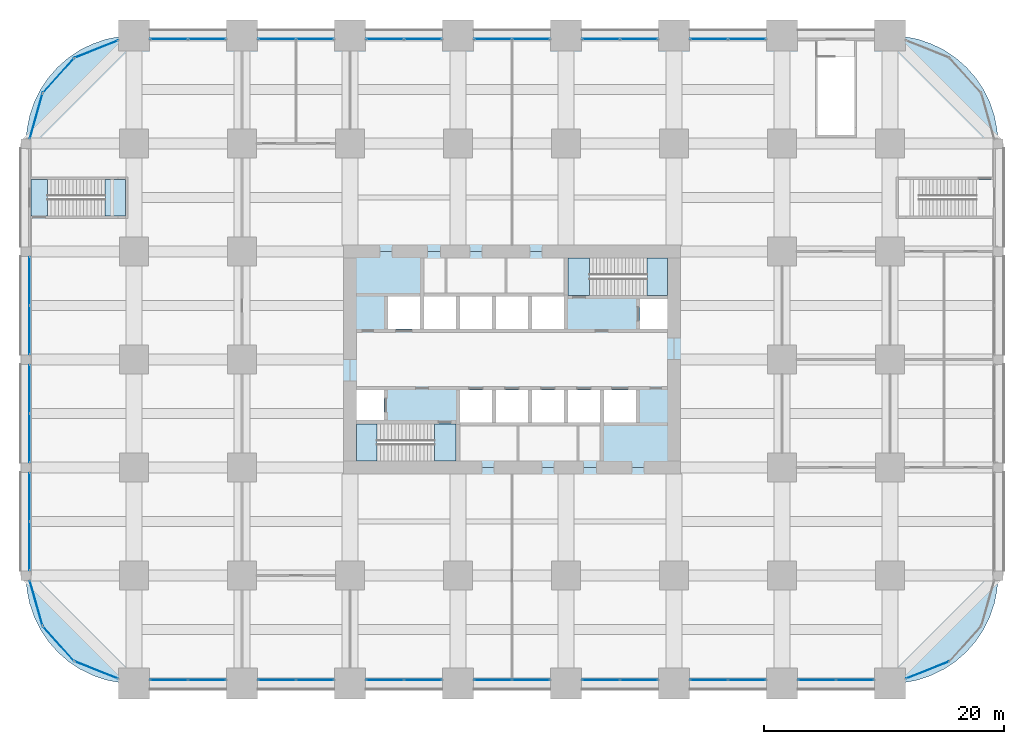
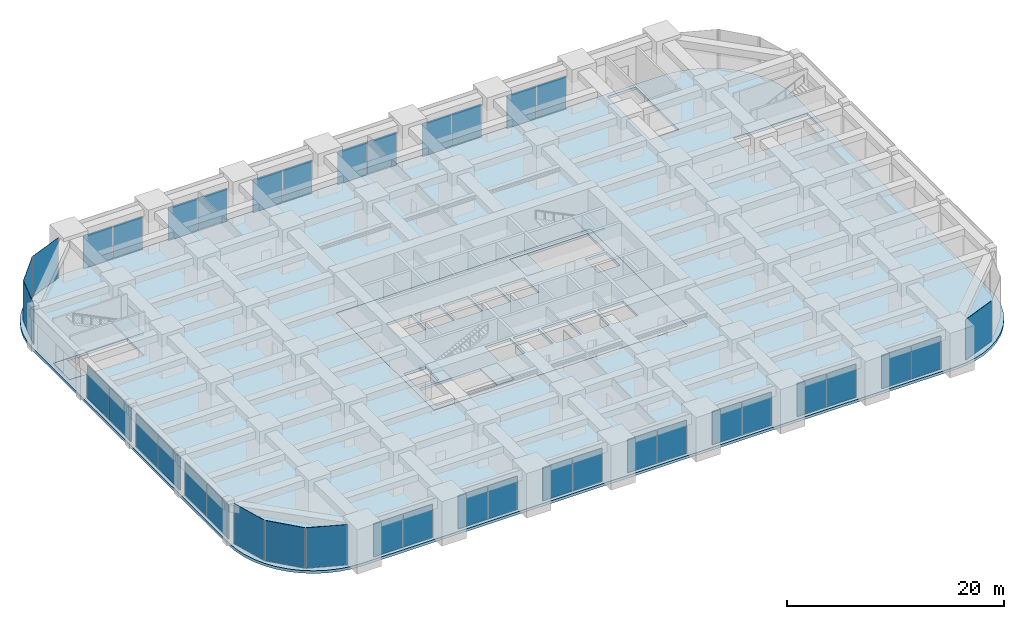
# One storey, part 40 of 46: 39 plates, 8 slabs, 26 elements without a shape of their own.
"""IFC4 building model written with IfcOpenShell, lengths in metres."""

from ifc_helpers import new_model, si_unit, direction, frame, origin, origin_2d, place, context, subcontext, project, spatial, polyline, rectangle, outline, extrude, material, layer, layer_set, type_object, element, aggregate, save


model = new_model("IFC4")

# Units and contexts
model_context = context("Model", 3, precision=1e-05, world=origin(), true_north=direction((0.0, 1.0)))
body_context = subcontext(model_context, "Body", "Model", "MODEL_VIEW")
ifc_project = project(units=[si_unit("LENGTHUNIT", "METRE"), si_unit("AREAUNIT", "SQUARE_METRE"), si_unit("VOLUMEUNIT", "CUBIC_METRE"), si_unit("PLANEANGLEUNIT", "RADIAN"), si_unit("MASSUNIT", "GRAM", prefix="KILO")], contexts=[model_context])

# Site, building, storey
site_placement = place(None, origin())
site = spatial("IfcSite", under=ifc_project, at=site_placement, CompositionType="ELEMENT")
building_placement = place(site_placement, origin())
building = spatial("IfcBuilding", under=site, at=building_placement, Name="Zorevar Civic Tower", CompositionType="ELEMENT")
storey_placement = place(building_placement, frame((0.0, 0.0, 10.800048828125)))
storey = spatial("IfcBuildingStorey", under=building, at=storey_placement, Name="L02", CompositionType="ELEMENT", Elevation=10.800048828125)

# Curtain wall, plates
ifc_material_1 = material(Name="Dark grey solar-control glass in black aluminium frame", Category="aluminium")
curtain_wall_type = type_object("IfcCurtainWallType", Name="Curtain wall CW1 podium", PredefinedType="NOTDEFINED", material=ifc_material_1)
curtain_wall_1_placement = place(storey_placement, origin())
curtain_wall_1 = element("IfcCurtainWall", 1, at=curtain_wall_1_placement, inside=storey, type_object=curtain_wall_type, Name="CW1 L02", PredefinedType="NOTDEFINED")
ifc_material_2 = material(Name="Dark grey solar-control glass", Category="glass")
ifc_layer_1 = layer(ifc_material_2, 0.033935546875)
ifc_layer_set_1 = layer_set([ifc_layer_1], Name="CW1 panel 34")
plate_type = type_object("IfcPlateType", Name="CW1 panel 34", PredefinedType="CURTAIN_PANEL", material=ifc_layer_set_1)
plate_1_placement = place(storey_placement, frame((2.9150390625, 0.300048828125, 0.06005859375), z_axis=(0.0, 0.0, 1.0), x_axis=(1.0, 0.0, 0.0)))
plate_1 = element("IfcPlate", 2, at=plate_1_placement, type_object=plate_type, Name="CW1 panel 1.1", PredefinedType="CURTAIN_PANEL", context=body_context, shape_type="SweptSolid", body=[
    extrude(rectangle(XDim=3.110107421875, YDim=0.033935546875, at=origin_2d()), origin(), (0.0, 0.0, 1.0), 3.739990234375),
])
plate_2_placement = place(storey_placement, frame((6.0849609375, 0.300048828125, 0.06005859375), z_axis=(0.0, 0.0, 1.0), x_axis=(1.0, 0.0, 0.0)))
plate_2 = element("IfcPlate", 3, at=plate_2_placement, type_object=plate_type, Name="CW1 panel 2.1", PredefinedType="CURTAIN_PANEL", context=body_context, shape_type="SweptSolid", body=[
    extrude(rectangle(XDim=3.110107421875, YDim=0.033935546875, at=origin_2d()), origin(), (0.0, 0.0, 1.0), 3.739990234375),
])
aggregate(curtain_wall_1, [plate_1, plate_2])

curtain_wall_2_placement = place(storey_placement, origin())
curtain_wall_2 = element("IfcCurtainWall", 4, at=curtain_wall_2_placement, inside=storey, type_object=curtain_wall_type, Name="CW1 L02", PredefinedType="NOTDEFINED")
plate_3_placement = place(storey_placement, frame((2.9150390625, 53.699951171875, 0.06005859375), z_axis=(0.0, 0.0, 1.0), x_axis=(1.0, 0.0, 0.0)))
plate_3 = element("IfcPlate", 5, at=plate_3_placement, type_object=plate_type, Name="CW1 panel 1.1", PredefinedType="CURTAIN_PANEL", context=body_context, shape_type="SweptSolid", body=[
    extrude(rectangle(XDim=3.110107421875, YDim=0.033935546875, at=origin_2d()), origin(), (0.0, 0.0, 1.0), 3.739990234375),
])
plate_4_placement = place(storey_placement, frame((6.0849609375, 53.699951171875, 0.06005859375), z_axis=(0.0, 0.0, 1.0), x_axis=(1.0, 0.0, 0.0)))
plate_4 = element("IfcPlate", 6, at=plate_4_placement, type_object=plate_type, Name="CW1 panel 2.1", PredefinedType="CURTAIN_PANEL", context=body_context, shape_type="SweptSolid", body=[
    extrude(rectangle(XDim=3.110107421875, YDim=0.033935546875, at=origin_2d()), origin(), (0.0, 0.0, 1.0), 3.739990234375),
])
aggregate(curtain_wall_2, [plate_3, plate_4])

curtain_wall_3_placement = place(storey_placement, origin())
curtain_wall_3 = element("IfcCurtainWall", 7, at=curtain_wall_3_placement, inside=storey, type_object=curtain_wall_type, Name="CW1 L02", PredefinedType="NOTDEFINED")
plate_5_placement = place(storey_placement, frame((11.9150390625, 0.300048828125, 0.06005859375), z_axis=(0.0, 0.0, 1.0), x_axis=(1.0, 0.0, 0.0)))
plate_5 = element("IfcPlate", 8, at=plate_5_placement, type_object=plate_type, Name="CW1 panel 1.1", PredefinedType="CURTAIN_PANEL", context=body_context, shape_type="SweptSolid", body=[
    extrude(rectangle(XDim=3.110107421875, YDim=0.033935546875, at=origin_2d()), origin(), (0.0, 0.0, 1.0), 3.739990234375),
])
plate_6_placement = place(storey_placement, frame((15.0849609375, 0.300048828125, 0.06005859375), z_axis=(0.0, 0.0, 1.0), x_axis=(1.0, 0.0, 0.0)))
plate_6 = element("IfcPlate", 9, at=plate_6_placement, type_object=plate_type, Name="CW1 panel 2.1", PredefinedType="CURTAIN_PANEL", context=body_context, shape_type="SweptSolid", body=[
    extrude(rectangle(XDim=3.110107421875, YDim=0.033935546875, at=origin_2d()), origin(), (0.0, 0.0, 1.0), 3.739990234375),
])
aggregate(curtain_wall_3, [plate_5, plate_6])

curtain_wall_4_placement = place(storey_placement, origin())
curtain_wall_4 = element("IfcCurtainWall", 10, at=curtain_wall_4_placement, inside=storey, type_object=curtain_wall_type, Name="CW1 L02", PredefinedType="NOTDEFINED")
plate_7_placement = place(storey_placement, frame((11.9150390625, 53.699951171875, 0.06005859375), z_axis=(0.0, 0.0, 1.0), x_axis=(1.0, 0.0, 0.0)))
plate_7 = element("IfcPlate", 11, at=plate_7_placement, type_object=plate_type, Name="CW1 panel 1.1", PredefinedType="CURTAIN_PANEL", context=body_context, shape_type="SweptSolid", body=[
    extrude(rectangle(XDim=3.110107421875, YDim=0.033935546875, at=origin_2d()), origin(), (0.0, 0.0, 1.0), 3.739990234375),
])
plate_8_placement = place(storey_placement, frame((15.0849609375, 53.699951171875, 0.06005859375), z_axis=(0.0, 0.0, 1.0), x_axis=(1.0, 0.0, 0.0)))
plate_8 = element("IfcPlate", 12, at=plate_8_placement, type_object=plate_type, Name="CW1 panel 2.1", PredefinedType="CURTAIN_PANEL", context=body_context, shape_type="SweptSolid", body=[
    extrude(rectangle(XDim=3.110107421875, YDim=0.033935546875, at=origin_2d()), origin(), (0.0, 0.0, 1.0), 3.739990234375),
])
aggregate(curtain_wall_4, [plate_7, plate_8])

curtain_wall_5_placement = place(storey_placement, origin())
curtain_wall_5 = element("IfcCurtainWall", 13, at=curtain_wall_5_placement, inside=storey, type_object=curtain_wall_type, Name="CW1 L02", PredefinedType="NOTDEFINED")
plate_9_placement = place(storey_placement, frame((20.9150390625, 0.300048828125, 0.06005859375), z_axis=(0.0, 0.0, 1.0), x_axis=(1.0, 0.0, 0.0)))
plate_9 = element("IfcPlate", 14, at=plate_9_placement, type_object=plate_type, Name="CW1 panel 1.1", PredefinedType="CURTAIN_PANEL", context=body_context, shape_type="SweptSolid", body=[
    extrude(rectangle(XDim=3.110107421875, YDim=0.033935546875, at=origin_2d()), origin(), (0.0, 0.0, 1.0), 3.739990234375),
])
plate_10_placement = place(storey_placement, frame((24.0849609375, 0.300048828125, 0.06005859375), z_axis=(0.0, 0.0, 1.0), x_axis=(1.0, 0.0, 0.0)))
plate_10 = element("IfcPlate", 15, at=plate_10_placement, type_object=plate_type, Name="CW1 panel 2.1", PredefinedType="CURTAIN_PANEL", context=body_context, shape_type="SweptSolid", body=[
    extrude(rectangle(XDim=3.110107421875, YDim=0.033935546875, at=origin_2d()), origin(), (0.0, 0.0, 1.0), 3.739990234375),
])
aggregate(curtain_wall_5, [plate_9, plate_10])

curtain_wall_6_placement = place(storey_placement, origin())
curtain_wall_6 = element("IfcCurtainWall", 16, at=curtain_wall_6_placement, inside=storey, type_object=curtain_wall_type, Name="CW1 L02", PredefinedType="NOTDEFINED")
plate_11_placement = place(storey_placement, frame((20.9150390625, 53.699951171875, 0.06005859375), z_axis=(0.0, 0.0, 1.0), x_axis=(1.0, 0.0, 0.0)))
plate_11 = element("IfcPlate", 17, at=plate_11_placement, type_object=plate_type, Name="CW1 panel 1.1", PredefinedType="CURTAIN_PANEL", context=body_context, shape_type="SweptSolid", body=[
    extrude(rectangle(XDim=3.110107421875, YDim=0.033935546875, at=origin_2d()), origin(), (0.0, 0.0, 1.0), 3.739990234375),
])
plate_12_placement = place(storey_placement, frame((24.0849609375, 53.699951171875, 0.06005859375), z_axis=(0.0, 0.0, 1.0), x_axis=(1.0, 0.0, 0.0)))
plate_12 = element("IfcPlate", 18, at=plate_12_placement, type_object=plate_type, Name="CW1 panel 2.1", PredefinedType="CURTAIN_PANEL", context=body_context, shape_type="SweptSolid", body=[
    extrude(rectangle(XDim=3.110107421875, YDim=0.033935546875, at=origin_2d()), origin(), (0.0, 0.0, 1.0), 3.739990234375),
])
aggregate(curtain_wall_6, [plate_11, plate_12])

curtain_wall_7_placement = place(storey_placement, origin())
curtain_wall_7 = element("IfcCurtainWall", 19, at=curtain_wall_7_placement, inside=storey, type_object=curtain_wall_type, Name="CW1 L02", PredefinedType="NOTDEFINED")
plate_13_placement = place(storey_placement, frame((29.9150390625, 0.300048828125, 0.06005859375), z_axis=(0.0, 0.0, 1.0), x_axis=(1.0, 0.0, 0.0)))
plate_13 = element("IfcPlate", 20, at=plate_13_placement, type_object=plate_type, Name="CW1 panel 1.1", PredefinedType="CURTAIN_PANEL", context=body_context, shape_type="SweptSolid", body=[
    extrude(rectangle(XDim=3.110107421875, YDim=0.033935546875, at=origin_2d()), origin(), (0.0, 0.0, 1.0), 3.739990234375),
])
plate_14_placement = place(storey_placement, frame((33.0849609375, 0.300048828125, 0.06005859375), z_axis=(0.0, 0.0, 1.0), x_axis=(1.0, 0.0, 0.0)))
plate_14 = element("IfcPlate", 21, at=plate_14_placement, type_object=plate_type, Name="CW1 panel 2.1", PredefinedType="CURTAIN_PANEL", context=body_context, shape_type="SweptSolid", body=[
    extrude(rectangle(XDim=3.110107421875, YDim=0.033935546875, at=origin_2d()), origin(), (0.0, 0.0, 1.0), 3.739990234375),
])
aggregate(curtain_wall_7, [plate_13, plate_14])

curtain_wall_8_placement = place(storey_placement, origin())
curtain_wall_8 = element("IfcCurtainWall", 22, at=curtain_wall_8_placement, inside=storey, type_object=curtain_wall_type, Name="CW1 L02", PredefinedType="NOTDEFINED")
plate_15_placement = place(storey_placement, frame((29.9150390625, 53.699951171875, 0.06005859375), z_axis=(0.0, 0.0, 1.0), x_axis=(1.0, 0.0, 0.0)))
plate_15 = element("IfcPlate", 23, at=plate_15_placement, type_object=plate_type, Name="CW1 panel 1.1", PredefinedType="CURTAIN_PANEL", context=body_context, shape_type="SweptSolid", body=[
    extrude(rectangle(XDim=3.110107421875, YDim=0.033935546875, at=origin_2d()), origin(), (0.0, 0.0, 1.0), 3.739990234375),
])
plate_16_placement = place(storey_placement, frame((33.0849609375, 53.699951171875, 0.06005859375), z_axis=(0.0, 0.0, 1.0), x_axis=(1.0, 0.0, 0.0)))
plate_16 = element("IfcPlate", 24, at=plate_16_placement, type_object=plate_type, Name="CW1 panel 2.1", PredefinedType="CURTAIN_PANEL", context=body_context, shape_type="SweptSolid", body=[
    extrude(rectangle(XDim=3.110107421875, YDim=0.033935546875, at=origin_2d()), origin(), (0.0, 0.0, 1.0), 3.739990234375),
])
aggregate(curtain_wall_8, [plate_15, plate_16])

curtain_wall_9_placement = place(storey_placement, origin())
curtain_wall_9 = element("IfcCurtainWall", 25, at=curtain_wall_9_placement, inside=storey, type_object=curtain_wall_type, Name="CW1 L02", PredefinedType="NOTDEFINED")
plate_17_placement = place(storey_placement, frame((38.9150390625, 0.300048828125, 0.06005859375), z_axis=(0.0, 0.0, 1.0), x_axis=(1.0, 0.0, 0.0)))
plate_17 = element("IfcPlate", 26, at=plate_17_placement, type_object=plate_type, Name="CW1 panel 1.1", PredefinedType="CURTAIN_PANEL", context=body_context, shape_type="SweptSolid", body=[
    extrude(rectangle(XDim=3.110107421875, YDim=0.033935546875, at=origin_2d()), origin(), (0.0, 0.0, 1.0), 3.739990234375),
])
plate_18_placement = place(storey_placement, frame((42.0849609375, 0.300048828125, 0.06005859375), z_axis=(0.0, 0.0, 1.0), x_axis=(1.0, 0.0, 0.0)))
plate_18 = element("IfcPlate", 27, at=plate_18_placement, type_object=plate_type, Name="CW1 panel 2.1", PredefinedType="CURTAIN_PANEL", context=body_context, shape_type="SweptSolid", body=[
    extrude(rectangle(XDim=3.110107421875, YDim=0.033935546875, at=origin_2d()), origin(), (0.0, 0.0, 1.0), 3.739990234375),
])
aggregate(curtain_wall_9, [plate_17, plate_18])

curtain_wall_10_placement = place(storey_placement, origin())
curtain_wall_10 = element("IfcCurtainWall", 28, at=curtain_wall_10_placement, inside=storey, type_object=curtain_wall_type, Name="CW1 L02", PredefinedType="NOTDEFINED")
plate_19_placement = place(storey_placement, frame((38.9150390625, 53.699951171875, 0.06005859375), z_axis=(0.0, 0.0, 1.0), x_axis=(1.0, 0.0, 0.0)))
plate_19 = element("IfcPlate", 29, at=plate_19_placement, type_object=plate_type, Name="CW1 panel 1.1", PredefinedType="CURTAIN_PANEL", context=body_context, shape_type="SweptSolid", body=[
    extrude(rectangle(XDim=3.110107421875, YDim=0.033935546875, at=origin_2d()), origin(), (0.0, 0.0, 1.0), 3.739990234375),
])
plate_20_placement = place(storey_placement, frame((42.0849609375, 53.699951171875, 0.06005859375), z_axis=(0.0, 0.0, 1.0), x_axis=(1.0, 0.0, 0.0)))
plate_20 = element("IfcPlate", 30, at=plate_20_placement, type_object=plate_type, Name="CW1 panel 2.1", PredefinedType="CURTAIN_PANEL", context=body_context, shape_type="SweptSolid", body=[
    extrude(rectangle(XDim=3.110107421875, YDim=0.033935546875, at=origin_2d()), origin(), (0.0, 0.0, 1.0), 3.739990234375),
])
aggregate(curtain_wall_10, [plate_19, plate_20])

curtain_wall_11_placement = place(storey_placement, origin())
curtain_wall_11 = element("IfcCurtainWall", 31, at=curtain_wall_11_placement, inside=storey, type_object=curtain_wall_type, Name="CW1 L02", PredefinedType="NOTDEFINED")
plate_21_placement = place(storey_placement, frame((47.9150390625, 0.300048828125, 0.06005859375), z_axis=(0.0, 0.0, 1.0), x_axis=(1.0, 0.0, 0.0)))
plate_21 = element("IfcPlate", 32, at=plate_21_placement, type_object=plate_type, Name="CW1 panel 1.1", PredefinedType="CURTAIN_PANEL", context=body_context, shape_type="SweptSolid", body=[
    extrude(rectangle(XDim=3.110107421875, YDim=0.033935546875, at=origin_2d()), origin(), (0.0, 0.0, 1.0), 3.739990234375),
])
plate_22_placement = place(storey_placement, frame((51.0849609375, 0.300048828125, 0.06005859375), z_axis=(0.0, 0.0, 1.0), x_axis=(1.0, 0.0, 0.0)))
plate_22 = element("IfcPlate", 33, at=plate_22_placement, type_object=plate_type, Name="CW1 panel 2.1", PredefinedType="CURTAIN_PANEL", context=body_context, shape_type="SweptSolid", body=[
    extrude(rectangle(XDim=3.110107421875, YDim=0.033935546875, at=origin_2d()), origin(), (0.0, 0.0, 1.0), 3.739990234375),
])
aggregate(curtain_wall_11, [plate_21, plate_22])

curtain_wall_12_placement = place(storey_placement, origin())
curtain_wall_12 = element("IfcCurtainWall", 34, at=curtain_wall_12_placement, inside=storey, type_object=curtain_wall_type, Name="CW1 L02", PredefinedType="NOTDEFINED")
plate_23_placement = place(storey_placement, frame((47.9150390625, 53.699951171875, 0.06005859375), z_axis=(0.0, 0.0, 1.0), x_axis=(1.0, 0.0, 0.0)))
plate_23 = element("IfcPlate", 35, at=plate_23_placement, type_object=plate_type, Name="CW1 panel 1.1", PredefinedType="CURTAIN_PANEL", context=body_context, shape_type="SweptSolid", body=[
    extrude(rectangle(XDim=3.110107421875, YDim=0.033935546875, at=origin_2d()), origin(), (0.0, 0.0, 1.0), 3.739990234375),
])
plate_24_placement = place(storey_placement, frame((51.0849609375, 53.699951171875, 0.06005859375), z_axis=(0.0, 0.0, 1.0), x_axis=(1.0, 0.0, 0.0)))
plate_24 = element("IfcPlate", 36, at=plate_24_placement, type_object=plate_type, Name="CW1 panel 2.1", PredefinedType="CURTAIN_PANEL", context=body_context, shape_type="SweptSolid", body=[
    extrude(rectangle(XDim=3.110107421875, YDim=0.033935546875, at=origin_2d()), origin(), (0.0, 0.0, 1.0), 3.739990234375),
])
aggregate(curtain_wall_12, [plate_23, plate_24])

curtain_wall_13_placement = place(storey_placement, origin())
curtain_wall_13 = element("IfcCurtainWall", 37, at=curtain_wall_13_placement, inside=storey, type_object=curtain_wall_type, Name="CW1 L02", PredefinedType="NOTDEFINED")
plate_25_placement = place(storey_placement, frame((56.9150390625, 0.300048828125, 0.06005859375), z_axis=(0.0, 0.0, 1.0), x_axis=(1.0, 0.0, 0.0)))
plate_25 = element("IfcPlate", 38, at=plate_25_placement, type_object=plate_type, Name="CW1 panel 1.1", PredefinedType="CURTAIN_PANEL", context=body_context, shape_type="SweptSolid", body=[
    extrude(rectangle(XDim=3.110107421875, YDim=0.033935546875, at=origin_2d()), origin(), (0.0, 0.0, 1.0), 3.739990234375),
])
plate_26_placement = place(storey_placement, frame((60.0849609375, 0.300048828125, 0.06005859375), z_axis=(0.0, 0.0, 1.0), x_axis=(1.0, 0.0, 0.0)))
plate_26 = element("IfcPlate", 39, at=plate_26_placement, type_object=plate_type, Name="CW1 panel 2.1", PredefinedType="CURTAIN_PANEL", context=body_context, shape_type="SweptSolid", body=[
    extrude(rectangle(XDim=3.110107421875, YDim=0.033935546875, at=origin_2d()), origin(), (0.0, 0.0, 1.0), 3.739990234375),
])
aggregate(curtain_wall_13, [plate_25, plate_26])

curtain_wall_14_placement = place(storey_placement, origin())
curtain_wall_14 = element("IfcCurtainWall", 40, at=curtain_wall_14_placement, inside=storey, type_object=curtain_wall_type, Name="CW1 L02", PredefinedType="NOTDEFINED")
plate_27_placement = place(storey_placement, frame((-8.699951171875, 11.465087890625, 0.06005859375), z_axis=(0.0, 0.0, 1.0), x_axis=(0.0, 1.0, 0.0)))
plate_27 = element("IfcPlate", 41, at=plate_27_placement, type_object=plate_type, Name="CW1 panel 1.1", PredefinedType="CURTAIN_PANEL", context=body_context, shape_type="SweptSolid", body=[
    extrude(rectangle(XDim=4.010009765625, YDim=0.033935546875, at=origin_2d()), origin(), (0.0, 0.0, 1.0), 3.739990234375),
])
plate_28_placement = place(storey_placement, frame((-8.699951171875, 15.534912109375, 0.06005859375), z_axis=(0.0, 0.0, 1.0), x_axis=(0.0, 1.0, 0.0)))
plate_28 = element("IfcPlate", 42, at=plate_28_placement, type_object=plate_type, Name="CW1 panel 2.1", PredefinedType="CURTAIN_PANEL", context=body_context, shape_type="SweptSolid", body=[
    extrude(rectangle(XDim=4.010009765625, YDim=0.033935546875, at=origin_2d()), origin(), (0.0, 0.0, 1.0), 3.739990234375),
])
aggregate(curtain_wall_14, [plate_27, plate_28])

curtain_wall_15_placement = place(storey_placement, origin())
curtain_wall_15 = element("IfcCurtainWall", 43, at=curtain_wall_15_placement, inside=storey, type_object=curtain_wall_type, Name="CW1 L02", PredefinedType="NOTDEFINED")
plate_29_placement = place(storey_placement, frame((-8.699951171875, 20.465087890625, 0.06005859375), z_axis=(0.0, 0.0, 1.0), x_axis=(0.0, 1.0, 0.0)))
plate_29 = element("IfcPlate", 44, at=plate_29_placement, type_object=plate_type, Name="CW1 panel 1.1", PredefinedType="CURTAIN_PANEL", context=body_context, shape_type="SweptSolid", body=[
    extrude(rectangle(XDim=4.010009765625, YDim=0.033935546875, at=origin_2d()), origin(), (0.0, 0.0, 1.0), 3.739990234375),
])
plate_30_placement = place(storey_placement, frame((-8.699951171875, 24.534912109375, 0.06005859375), z_axis=(0.0, 0.0, 1.0), x_axis=(0.0, 1.0, 0.0)))
plate_30 = element("IfcPlate", 45, at=plate_30_placement, type_object=plate_type, Name="CW1 panel 2.1", PredefinedType="CURTAIN_PANEL", context=body_context, shape_type="SweptSolid", body=[
    extrude(rectangle(XDim=4.010009765625, YDim=0.033935546875, at=origin_2d()), origin(), (0.0, 0.0, 1.0), 3.739990234375),
])
aggregate(curtain_wall_15, [plate_29, plate_30])

curtain_wall_16_placement = place(storey_placement, origin())
curtain_wall_16 = element("IfcCurtainWall", 46, at=curtain_wall_16_placement, inside=storey, type_object=curtain_wall_type, Name="CW1 L02", PredefinedType="NOTDEFINED")
plate_31_placement = place(storey_placement, frame((-8.699951171875, 29.465087890625, 0.06005859375), z_axis=(0.0, 0.0, 1.0), x_axis=(0.0, 1.0, 0.0)))
plate_31 = element("IfcPlate", 47, at=plate_31_placement, type_object=plate_type, Name="CW1 panel 1.1", PredefinedType="CURTAIN_PANEL", context=body_context, shape_type="SweptSolid", body=[
    extrude(rectangle(XDim=4.010009765625, YDim=0.033935546875, at=origin_2d()), origin(), (0.0, 0.0, 1.0), 3.739990234375),
])
plate_32_placement = place(storey_placement, frame((-8.699951171875, 33.534912109375, 0.06005859375), z_axis=(0.0, 0.0, 1.0), x_axis=(0.0, 1.0, 0.0)))
plate_32 = element("IfcPlate", 48, at=plate_32_placement, type_object=plate_type, Name="CW1 panel 2.1", PredefinedType="CURTAIN_PANEL", context=body_context, shape_type="SweptSolid", body=[
    extrude(rectangle(XDim=4.010009765625, YDim=0.033935546875, at=origin_2d()), origin(), (0.0, 0.0, 1.0), 3.739990234375),
])
aggregate(curtain_wall_16, [plate_31, plate_32])

# Curtain wall, plate
curtain_wall_17_placement = place(storey_placement, origin())
curtain_wall_17 = element("IfcCurtainWall", 49, at=curtain_wall_17_placement, inside=storey, type_object=curtain_wall_type, Name="CW1 L02", PredefinedType="NOTDEFINED")
plate_33_placement = place(storey_placement, frame((66.1357421875, 1.129150390625, 0.059814453125), z_axis=(0.0, 0.0, 1.0), x_axis=(0.928987553289, 0.370110964218, 0.0)))
plate_33 = element("IfcPlate", 50, at=plate_33_placement, type_object=plate_type, Name="CW1 panel 1.1", PredefinedType="CURTAIN_PANEL", context=body_context, shape_type="SweptSolid", body=[
    extrude(rectangle(XDim=3.83203125, YDim=0.033935546875, at=origin_2d()), origin(), (0.0, 0.0, 1.0), 4.5400390625),
])
aggregate(curtain_wall_17, [plate_33])

curtain_wall_18_placement = place(storey_placement, origin())
curtain_wall_18 = element("IfcCurtainWall", 51, at=curtain_wall_18_placement, inside=storey, type_object=curtain_wall_type, Name="CW1 L02", PredefinedType="NOTDEFINED")
plate_34_placement = place(storey_placement, frame((-3.1357421875, 52.870849609375, 0.059814453125), z_axis=(0.0, 0.0, 1.0), x_axis=(-0.928987553289, -0.370110964218, 0.0)))
plate_34 = element("IfcPlate", 52, at=plate_34_placement, type_object=plate_type, Name="CW1 panel 1.1", PredefinedType="CURTAIN_PANEL", context=body_context, shape_type="SweptSolid", body=[
    extrude(rectangle(XDim=3.83203125, YDim=0.033935546875, at=origin_2d()), origin(), (0.0, 0.0, 1.0), 4.5400390625),
])
aggregate(curtain_wall_18, [plate_34])

curtain_wall_19_placement = place(storey_placement, origin())
curtain_wall_19 = element("IfcCurtainWall", 53, at=curtain_wall_19_placement, inside=storey, type_object=curtain_wall_type, Name="CW1 L02", PredefinedType="NOTDEFINED")
plate_35_placement = place(storey_placement, frame((-6.294189453125, 50.671630859375, 0.059814453125), z_axis=(0.0, 0.0, 1.0), x_axis=(-0.669402758568, -0.742899688263, 0.0)))
plate_35 = element("IfcPlate", 54, at=plate_35_placement, type_object=plate_type, Name="CW1 panel 1.1", PredefinedType="CURTAIN_PANEL", context=body_context, shape_type="SweptSolid", body=[
    extrude(rectangle(XDim=3.83203125, YDim=0.033935546875, at=origin_2d()), origin(), (0.0, 0.0, 1.0), 4.5400390625),
])
aggregate(curtain_wall_19, [plate_35])

curtain_wall_20_placement = place(storey_placement, origin())
curtain_wall_20 = element("IfcCurtainWall", 55, at=curtain_wall_20_placement, inside=storey, type_object=curtain_wall_type, Name="CW1 L02", PredefinedType="NOTDEFINED")
plate_36_placement = place(storey_placement, frame((-8.15380859375, 47.3017578125, 0.059814453125), z_axis=(0.0, 0.0, 1.0), x_axis=(-0.271669082929, -0.962390725943, 0.0)))
plate_36 = element("IfcPlate", 56, at=plate_36_placement, type_object=plate_type, Name="CW1 panel 1.1", PredefinedType="CURTAIN_PANEL", context=body_context, shape_type="SweptSolid", body=[
    extrude(rectangle(XDim=3.83203125, YDim=0.033935546875, at=origin_2d()), origin(), (0.0, 0.0, 1.0), 4.5400390625),
])
aggregate(curtain_wall_20, [plate_36])

curtain_wall_21_placement = place(storey_placement, origin())
curtain_wall_21 = element("IfcCurtainWall", 57, at=curtain_wall_21_placement, inside=storey, type_object=curtain_wall_type, Name="CW1 L02", PredefinedType="NOTDEFINED")
plate_37_placement = place(storey_placement, frame((-8.15380859375, 6.6982421875, 0.059814453125), z_axis=(0.0, 0.0, 1.0), x_axis=(0.271669082929, -0.962390725943, 0.0)))
plate_37 = element("IfcPlate", 58, at=plate_37_placement, type_object=plate_type, Name="CW1 panel 1.1", PredefinedType="CURTAIN_PANEL", context=body_context, shape_type="SweptSolid", body=[
    extrude(rectangle(XDim=3.83203125, YDim=0.033935546875, at=origin_2d()), origin(), (0.0, 0.0, 1.0), 4.5400390625),
])
aggregate(curtain_wall_21, [plate_37])

curtain_wall_22_placement = place(storey_placement, origin())
curtain_wall_22 = element("IfcCurtainWall", 59, at=curtain_wall_22_placement, inside=storey, type_object=curtain_wall_type, Name="CW1 L02", PredefinedType="NOTDEFINED")
plate_38_placement = place(storey_placement, frame((-6.294189453125, 3.328369140625, 0.059814453125), z_axis=(0.0, 0.0, 1.0), x_axis=(0.669402758568, -0.742899688263, 0.0)))
plate_38 = element("IfcPlate", 60, at=plate_38_placement, type_object=plate_type, Name="CW1 panel 1.1", PredefinedType="CURTAIN_PANEL", context=body_context, shape_type="SweptSolid", body=[
    extrude(rectangle(XDim=3.83203125, YDim=0.033935546875, at=origin_2d()), origin(), (0.0, 0.0, 1.0), 4.5400390625),
])
aggregate(curtain_wall_22, [plate_38])

curtain_wall_23_placement = place(storey_placement, origin())
curtain_wall_23 = element("IfcCurtainWall", 61, at=curtain_wall_23_placement, inside=storey, type_object=curtain_wall_type, Name="CW1 L02", PredefinedType="NOTDEFINED")
plate_39_placement = place(storey_placement, frame((-3.1357421875, 1.129150390625, 0.059814453125), z_axis=(0.0, 0.0, 1.0), x_axis=(0.928987553289, -0.370110964218, 0.0)))
plate_39 = element("IfcPlate", 62, at=plate_39_placement, type_object=plate_type, Name="CW1 panel 1.1", PredefinedType="CURTAIN_PANEL", context=body_context, shape_type="SweptSolid", body=[
    extrude(rectangle(XDim=3.83203125, YDim=0.033935546875, at=origin_2d()), origin(), (0.0, 0.0, 1.0), 4.5400390625),
])
aggregate(curtain_wall_23, [plate_39])

# Slabs
ifc_material_3 = material(Name="Concrete C40/50", Category="concrete")
ifc_layer_2 = layer(ifc_material_3, 0.300048828125)
ifc_layer_set_2 = layer_set([ifc_layer_2], Name="Floor slab 300")
slab_type_1 = type_object("IfcSlabType", Name="Floor slab 300", PredefinedType="FLOOR", material=ifc_layer_set_2)
slab_1_placement = place(storey_placement, frame((0.0, 0.0, -0.300048828125)))
element("IfcSlab", 63, at=slab_1_placement, inside=storey, type_object=slab_type_1, Name="Floor slab L02", PredefinedType="FLOOR", context=body_context, shape_type="SweptSolid", body=[
    extrude(outline(polyline([(63.0, 0.0), (64.1748046875, 0.076904296875), (65.329345703125, 0.306640625), (66.444091796875, 0.68505859375), (67.5, 1.205810546875), (68.478759765625, 1.85986328125), (69.364013671875, 2.635986328125), (70.14013671875, 3.521240234375), (70.794189453125, 4.5), (71.31494140625, 5.555908203125), (71.693359375, 6.670654296875), (71.923095703125, 7.8251953125), (72.0, 9.0), (72.0, 45.0), (71.923095703125, 46.1748046875), (71.693359375, 47.329345703125), (71.31494140625, 48.444091796875), (70.794189453125, 49.5), (70.14013671875, 50.478759765625), (69.364013671875, 51.364013671875), (68.478759765625, 52.14013671875), (67.5, 52.794189453125), (66.444091796875, 53.31494140625), (65.329345703125, 53.693359375), (64.1748046875, 53.923095703125), (63.0, 54.0), (0.0, 54.0), (-1.1748046875, 53.923095703125), (-2.329345703125, 53.693359375), (-3.444091796875, 53.31494140625), (-4.5, 52.794189453125), (-5.478759765625, 52.14013671875), (-6.364013671875, 51.364013671875), (-7.14013671875, 50.478759765625), (-7.794189453125, 49.5), (-8.31494140625, 48.444091796875), (-8.693359375, 47.329345703125), (-8.923095703125, 46.1748046875), (-9.0, 45.0), (-9.0, 9.0), (-8.923095703125, 7.8251953125), (-8.693359375, 6.670654296875), (-8.31494140625, 5.555908203125), (-7.794189453125, 4.5), (-7.14013671875, 3.521240234375), (-6.364013671875, 2.635986328125), (-5.478759765625, 1.85986328125), (-4.5, 1.205810546875), (-3.444091796875, 0.68505859375), (-2.329345703125, 0.306640625), (-1.1748046875, 0.076904296875), (0.0, 0.0), (63.0, 0.0)]), holes=[polyline([(18.0, 18.0), (45.0, 18.0), (45.0, 36.0), (18.0, 36.0), (18.0, 18.0)]), polyline([(-8.60009765625, 38.97509765625), (-0.699951171875, 38.97509765625), (-0.699951171875, 42.02490234375), (-8.60009765625, 42.02490234375), (-8.60009765625, 38.97509765625)]), polyline([(63.699951171875, 38.97509765625), (71.60009765625, 38.97509765625), (71.60009765625, 42.02490234375), (63.699951171875, 42.02490234375), (63.699951171875, 38.97509765625)]), polyline([(56.97509765625, 45.699951171875), (60.02490234375, 45.699951171875), (60.02490234375, 53.60009765625), (56.97509765625, 53.60009765625), (56.97509765625, 45.699951171875)])]), origin(), (0.0, 0.0, 1.0), 0.300048828125),
])
slab_2_placement = place(storey_placement, frame((0.0, 0.0, -0.300048828125)))
element("IfcSlab", 64, at=slab_2_placement, inside=storey, type_object=slab_type_1, Name="Core floor L02", PredefinedType="FLOOR", context=body_context, shape_type="SweptSolid", body=[
    extrude(outline(polyline([(18.0, 18.0), (45.0, 18.0), (45.0, 36.0), (18.0, 36.0), (18.0, 18.0)]), holes=[polyline([(18.550048828125, 18.550048828125), (26.85009765625, 18.550048828125), (26.85009765625, 21.64990234375), (18.550048828125, 21.64990234375), (18.550048828125, 18.550048828125)]), polyline([(36.14990234375, 32.35009765625), (44.449951171875, 32.35009765625), (44.449951171875, 35.449951171875), (36.14990234375, 35.449951171875), (36.14990234375, 32.35009765625)]), polyline([(18.550048828125, 21.949951171875), (20.85009765625, 21.949951171875), (20.85009765625, 24.449951171875), (18.550048828125, 24.449951171875), (18.550048828125, 21.949951171875)]), polyline([(42.14990234375, 29.550048828125), (44.449951171875, 29.550048828125), (44.449951171875, 32.050048828125), (42.14990234375, 32.050048828125), (42.14990234375, 29.550048828125)]), polyline([(27.14990234375, 21.75), (29.85009765625, 21.75), (29.85009765625, 24.449951171875), (27.14990234375, 24.449951171875), (27.14990234375, 21.75)]), polyline([(33.14990234375, 29.550048828125), (35.85009765625, 29.550048828125), (35.85009765625, 32.25), (33.14990234375, 32.25), (33.14990234375, 29.550048828125)]), polyline([(30.14990234375, 21.75), (32.85009765625, 21.75), (32.85009765625, 24.449951171875), (30.14990234375, 24.449951171875), (30.14990234375, 21.75)]), polyline([(30.14990234375, 29.550048828125), (32.85009765625, 29.550048828125), (32.85009765625, 32.25), (30.14990234375, 32.25), (30.14990234375, 29.550048828125)]), polyline([(33.14990234375, 21.75), (35.85009765625, 21.75), (35.85009765625, 24.449951171875), (33.14990234375, 24.449951171875), (33.14990234375, 21.75)]), polyline([(27.14990234375, 29.550048828125), (29.85009765625, 29.550048828125), (29.85009765625, 32.25), (27.14990234375, 32.25), (27.14990234375, 29.550048828125)]), polyline([(36.14990234375, 21.75), (38.85009765625, 21.75), (38.85009765625, 24.449951171875), (36.14990234375, 24.449951171875), (36.14990234375, 21.75)]), polyline([(24.14990234375, 29.550048828125), (26.85009765625, 29.550048828125), (26.85009765625, 32.25), (24.14990234375, 32.25), (24.14990234375, 29.550048828125)]), polyline([(39.14990234375, 21.75), (41.85009765625, 21.75), (41.85009765625, 24.449951171875), (39.14990234375, 24.449951171875), (39.14990234375, 21.75)]), polyline([(21.14990234375, 29.550048828125), (23.85009765625, 29.550048828125), (23.85009765625, 32.25), (21.14990234375, 32.25), (21.14990234375, 29.550048828125)])]), origin(), (0.0, 0.0, 1.0), 0.300048828125),
])

# Stair, slabs
ifc_material_4 = material(Name="Precast concrete C40/50", Category="concrete")
stair_type_1 = type_object("IfcStairType", Name="Stair ST 34R", PredefinedType="HALF_TURN_STAIR", material=ifc_material_4)
stair_1_placement = place(storey_placement, origin())
stair_1 = element("IfcStair", 65, at=stair_1_placement, inside=storey, type_object=stair_type_1, Name="Stair ST1 L02", PredefinedType="HALF_TURN_STAIR")
ifc_material_5 = material(Name="Concrete C40/50", Category="concrete")
ifc_layer_3 = layer(ifc_material_5, 0.199951171875)
ifc_layer_set_3 = layer_set([ifc_layer_3], Name="Stair landing 200")
slab_type_2 = type_object("IfcSlabType", Name="Stair landing 200", PredefinedType="LANDING", material=ifc_layer_set_3)
slab_3_placement = place(storey_placement, frame((0.0, 0.0, -0.199951171875)))
slab_3 = element("IfcSlab", 66, at=slab_3_placement, type_object=slab_type_2, Name="ST1 landing 1", PredefinedType="LANDING", context=body_context, shape_type="SweptSolid", body=[
    extrude(outline(polyline([(25.050048828125, 18.550048828125), (26.85009765625, 18.550048828125), (26.85009765625, 21.64990234375), (25.050048828125, 21.64990234375), (25.050048828125, 18.550048828125)])), origin(), (0.0, 0.0, 1.0), 0.199951171875),
])
slab_4_placement = place(storey_placement, frame((0.0, 0.0, 2.300048828125)))
slab_4 = element("IfcSlab", 67, at=slab_4_placement, type_object=slab_type_2, Name="ST1 landing 2", PredefinedType="LANDING", context=body_context, shape_type="SweptSolid", body=[
    extrude(outline(polyline([(18.550048828125, 18.550048828125), (20.25, 18.550048828125), (20.25, 21.64990234375), (18.550048828125, 21.64990234375), (18.550048828125, 18.550048828125)])), origin(), (0.0, 0.0, 1.0), 0.199951171875),
])
aggregate(stair_1, [slab_3, slab_4])

stair_2_placement = place(storey_placement, origin())
stair_2 = element("IfcStair", 68, at=stair_2_placement, inside=storey, type_object=stair_type_1, Name="Stair ST2 L02", PredefinedType="HALF_TURN_STAIR")
slab_5_placement = place(storey_placement, frame((0.0, 0.0, -0.199951171875)))
slab_5 = element("IfcSlab", 69, at=slab_5_placement, type_object=slab_type_2, Name="ST2 landing 1", PredefinedType="LANDING", context=body_context, shape_type="SweptSolid", body=[
    extrude(outline(polyline([(37.949951171875, 32.35009765625), (36.14990234375, 32.35009765625), (36.14990234375, 35.449951171875), (37.949951171875, 35.449951171875), (37.949951171875, 32.35009765625)])), origin(), (0.0, 0.0, 1.0), 0.199951171875),
])
slab_6_placement = place(storey_placement, frame((0.0, 0.0, 2.300048828125)))
slab_6 = element("IfcSlab", 70, at=slab_6_placement, type_object=slab_type_2, Name="ST2 landing 2", PredefinedType="LANDING", context=body_context, shape_type="SweptSolid", body=[
    extrude(outline(polyline([(44.449951171875, 32.35009765625), (42.75, 32.35009765625), (42.75, 35.449951171875), (44.449951171875, 35.449951171875), (44.449951171875, 32.35009765625)])), origin(), (0.0, 0.0, 1.0), 0.199951171875),
])
aggregate(stair_2, [slab_5, slab_6])

# Stair, slab
ifc_material_6 = material(Name="Precast concrete C40/50", Category="concrete")
stair_type_2 = type_object("IfcStairType", Name="Escape stair PS 34R", PredefinedType="HALF_TURN_STAIR", material=ifc_material_6)
stair_3_placement = place(storey_placement, origin())
stair_3 = element("IfcStair", 71, at=stair_3_placement, inside=storey, type_object=stair_type_2, Name="Escape stair PS1 L02", PredefinedType="HALF_TURN_STAIR")
slab_7_placement = place(storey_placement, frame((0.0, 0.0, 2.300048828125)))
slab_7 = element("IfcSlab", 72, at=slab_7_placement, type_object=slab_type_2, Name="PS1 landing 1", PredefinedType="LANDING", context=body_context, shape_type="SweptSolid", body=[
    extrude(outline(polyline([(-2.39990234375, 38.97509765625), (-0.699951171875, 38.97509765625), (-0.699951171875, 42.02490234375), (-2.39990234375, 42.02490234375), (-2.39990234375, 38.97509765625)])), origin(), (0.0, 0.0, 1.0), 0.199951171875),
])
aggregate(stair_3, [slab_7])

# Slab
ifc_material_7 = material(Name="Concrete C40/50", Category="concrete")
ifc_layer_4 = layer(ifc_material_7, 0.300048828125)
ifc_layer_set_4 = layer_set([ifc_layer_4], Name="Stair landing 300")
slab_type_3 = type_object("IfcSlabType", Name="Stair landing 300", PredefinedType="LANDING", material=ifc_layer_set_4)
slab_8_placement = place(storey_placement, frame((0.0, 0.0, -0.300048828125)))
element("IfcSlab", 73, at=slab_8_placement, inside=storey, type_object=slab_type_3, Name="Stair PS1 floor landing L02", PredefinedType="LANDING", context=body_context, shape_type="SweptSolid", body=[
    extrude(outline(polyline([(-8.60009765625, 38.97509765625), (-7.199951171875, 38.97509765625), (-7.199951171875, 42.02490234375), (-8.60009765625, 42.02490234375), (-8.60009765625, 38.97509765625)])), origin(), (0.0, 0.0, 1.0), 0.300048828125),
])

save(model, "model.ifc")
